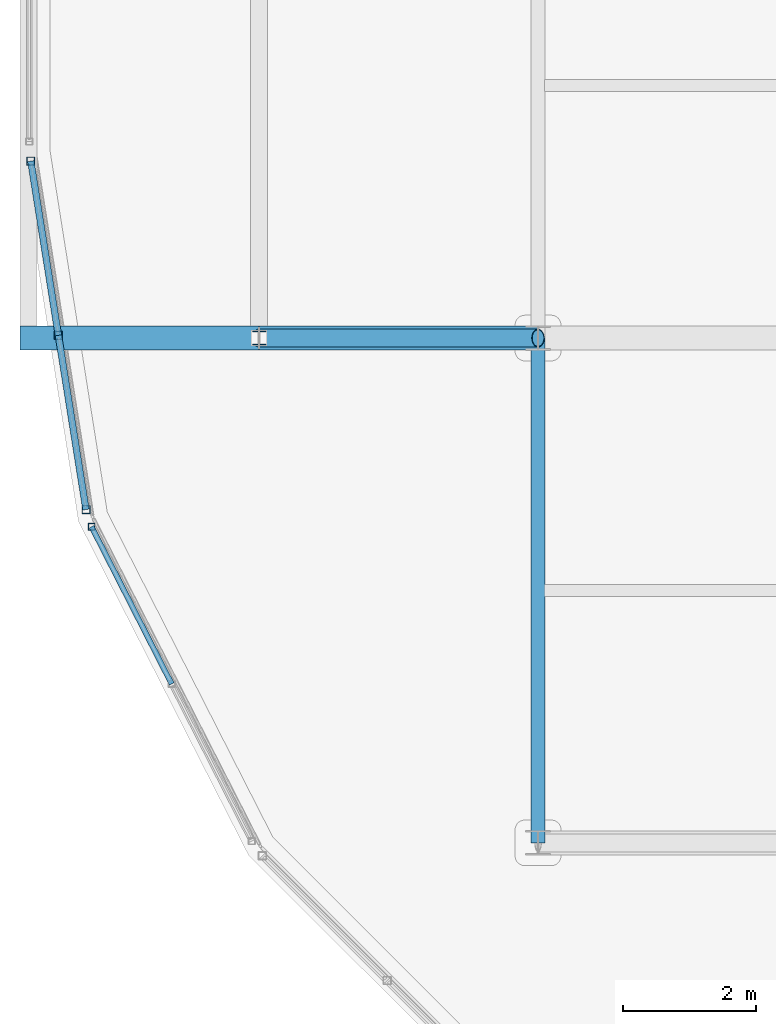
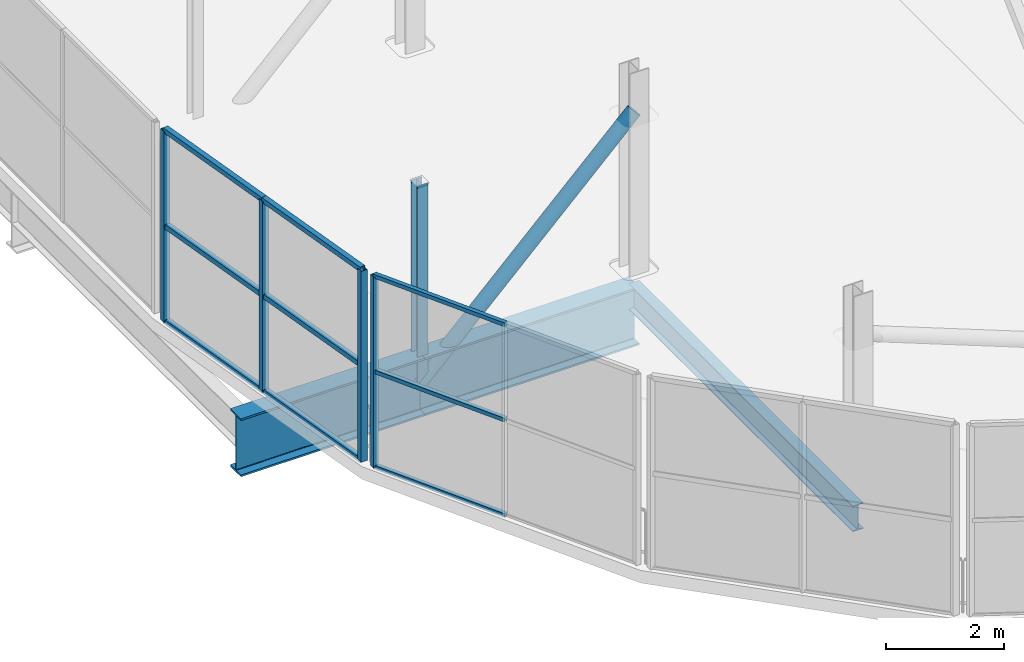
# One storey, part 22 of 217: 15 members, 3 beams, 2 elements without a shape of their own.
"""IFC4 building model written with IfcOpenShell, lengths in metres."""

from ifc_helpers import new_model, si_unit, direction, frame, origin, origin_2d, place, context, subcontext, project, spatial, hollow_rectangle, hollow_circle, i_section, extrude, material, material_profile, profile_set, type_object, element, aggregate, save


model = new_model("IFC4")

# Units and contexts
model_context = context("Model", 3, precision=1e-05, world=origin(), true_north=direction((0.0, 1.0)))
body_context = subcontext(model_context, "Body", "Model", "MODEL_VIEW")
ifc_project = project(units=[si_unit("LENGTHUNIT", "METRE"), si_unit("AREAUNIT", "SQUARE_METRE"), si_unit("VOLUMEUNIT", "CUBIC_METRE"), si_unit("PLANEANGLEUNIT", "RADIAN"), si_unit("MASSUNIT", "GRAM", prefix="KILO")], contexts=[model_context])

# Site, building, storey
site_placement = place(None, origin())
site = spatial("IfcSite", under=ifc_project, at=site_placement, CompositionType="ELEMENT")
building_placement = place(site_placement, origin())
building = spatial("IfcBuilding", under=site, at=building_placement, Name="Zuvorla Pavilion Media Centre", CompositionType="ELEMENT")
storey_placement = place(building_placement, frame((0.0, 0.0, 9.60009765625)))
storey = spatial("IfcBuildingStorey", under=building, at=storey_placement, Name="L02", CompositionType="ELEMENT", Elevation=9.60009765625)

# Beams
ifc_material_1 = material(Name="Steel S355", Category="steel")
ifc_material_profile_1 = material_profile(ifc_material_1, i_section(OverallWidth=0.360107421875, OverallDepth=1.199951171875, WebThickness=0.02001953125, FlangeThickness=0.0380859375, FilletRadius=0.02392578125, at=origin_2d()), Name="PG 1200x360x38")
ifc_profile_set_1 = profile_set([ifc_material_profile_1], Name="Steel S355")
beam_type_1 = type_object("IfcBeamType", Name="BM-PG1200", PredefinedType="BEAM", material=ifc_profile_set_1)
beam_1_placement = place(storey_placement, frame((16.39990234375, 59.199951171875, -0.8681640625), z_axis=(-1.0, 0.0, 0.0), x_axis=(0.0, -1.0, 0.0)))
element("IfcBeam", 1, at=beam_1_placement, inside=storey, type_object=beam_type_1, Name="L02 beam B01 1666", PredefinedType="BEAM", context=body_context, shape_type="SweptSolid", body=[
    extrude(i_section(OverallWidth=0.360107421875, OverallDepth=1.199951171875, WebThickness=0.02001953125, FlangeThickness=0.0380859375, FilletRadius=0.02392578125, at=origin_2d()), origin(), (0.0, 0.0, 1.0), 4.199951171875),
])
beam_2_placement = place(storey_placement, frame((12.199951171875, 59.199951171875, -0.8681640625), z_axis=(-1.0, 0.0, 0.0), x_axis=(0.0, -1.0, 0.0)))
element("IfcBeam", 2, at=beam_2_placement, inside=storey, type_object=beam_type_1, Name="L02 beam B01 1667", PredefinedType="BEAM", context=body_context, shape_type="SweptSolid", body=[
    extrude(i_section(OverallWidth=0.360107421875, OverallDepth=1.199951171875, WebThickness=0.02001953125, FlangeThickness=0.0380859375, FilletRadius=0.02392578125, at=origin_2d()), origin(), (0.0, 0.0, 1.0), 3.599853515625),
])
ifc_material_profile_2 = material_profile(ifc_material_1, i_section(OverallWidth=0.2099609375, OverallDepth=0.53662109375, WebThickness=0.0107421875, FlangeThickness=0.017333984375, FilletRadius=0.0126953125, at=origin_2d()), Name="UB 533x210x101")
ifc_profile_set_2 = profile_set([ifc_material_profile_2], Name="Steel S355")
beam_type_2 = type_object("IfcBeamType", Name="BM-UB533", PredefinedType="BEAM", material=ifc_profile_set_2)
beam_3_placement = place(storey_placement, frame((16.39990234375, 51.60009765625, -0.536376953125), z_axis=(0.0, 1.0, 0.0), x_axis=(-1.0, 0.0, 0.0)))
element("IfcBeam", 3, at=beam_3_placement, inside=storey, type_object=beam_type_2, Name="L02 beam B08 891", PredefinedType="BEAM", context=body_context, shape_type="SweptSolid", body=[
    extrude(i_section(OverallWidth=0.2099609375, OverallDepth=0.53662109375, WebThickness=0.0107421875, FlangeThickness=0.017333984375, FilletRadius=0.0126953125, at=origin_2d()), origin(), (0.0, 0.0, 1.0), 7.599853515625),
])

# Curtain wall, member
ifc_material_2 = material(Name="Unitised anodised aluminium and solar glass curtain wall", Category="aluminium")
curtain_wall_type_1 = type_object("IfcCurtainWallType", Name="CW-SYS-02", PredefinedType="USERDEFINED", material=ifc_material_2)
curtain_wall_1_placement = place(storey_placement, origin())
curtain_wall_1 = element("IfcCurtainWall", 4, at=curtain_wall_1_placement, inside=storey, type_object=curtain_wall_type_1, Name="L02 curtain wall CW02 34", ObjectType="CURTAIN WALL", PredefinedType="USERDEFINED")
ifc_material_3 = material(Name="Anodised aluminium 6063-T6", Category="aluminium")
ifc_material_profile_3 = material_profile(ifc_material_3, hollow_rectangle(XDim=0.10009765625, YDim=0.10009765625, WallThickness=0.00439453125, at=origin_2d()), Name="ALU MULL 100x100")
ifc_profile_set_3 = profile_set([ifc_material_profile_3], Name="Anodised aluminium 6063-T6")
member_type_1 = type_object("IfcMemberType", Name="CW-MULL-100", PredefinedType="MULLION", material=ifc_profile_set_3)
member_1_placement = place(storey_placement, frame((9.678466796875, 56.358642578125, 0.0), z_axis=(0.0, 0.0, 1.0), x_axis=(1.0, 0.0, 0.0)))
member_1 = element("IfcMember", 5, at=member_1_placement, type_object=member_type_1, Name="CW02 mullion 1", PredefinedType="MULLION", context=body_context, shape_type="SweptSolid", body=[
    extrude(hollow_rectangle(XDim=0.10009765625, YDim=0.10009765625, WallThickness=0.00439453125, at=origin_2d()), origin(), (0.0, 0.0, 1.0), 3.949951171875),
])

# Curtain wall, members
curtain_wall_type_2 = type_object("IfcCurtainWallType", Name="CW-SYS-04", PredefinedType="USERDEFINED", material=ifc_material_2)
curtain_wall_2_placement = place(storey_placement, origin())
curtain_wall_2 = element("IfcCurtainWall", 6, at=curtain_wall_2_placement, inside=storey, type_object=curtain_wall_type_2, Name="L02 curtain wall CW04 33", ObjectType="CURTAIN WALL", PredefinedType="USERDEFINED")
ifc_material_profile_4 = material_profile(ifc_material_3, hollow_rectangle(XDim=0.1201171875, YDim=0.1201171875, WallThickness=0.0048828125, at=origin_2d()), Name="ALU MULL 120x120")
ifc_profile_set_4 = profile_set([ifc_material_profile_4], Name="Anodised aluminium 6063-T6")
member_type_2 = type_object("IfcMemberType", Name="CW-MULL-120", PredefinedType="MULLION", material=ifc_profile_set_4)
member_2_placement = place(storey_placement, frame((8.76318359375, 61.864013671875, 0.0), z_axis=(0.0, 0.0, 1.0), x_axis=(1.0, 0.0, 0.0)))
member_2 = element("IfcMember", 7, at=member_2_placement, type_object=member_type_2, Name="CW04 mullion 1", PredefinedType="MULLION", context=body_context, shape_type="SweptSolid", body=[
    extrude(hollow_rectangle(XDim=0.1201171875, YDim=0.1201171875, WallThickness=0.0048828125, at=origin_2d()), origin(), (0.0, 0.0, 1.0), 3.949951171875),
])
member_3_placement = place(storey_placement, frame((9.1787109375, 59.24072265625, 0.0), z_axis=(0.0, 0.0, 1.0), x_axis=(1.0, 0.0, 0.0)))
member_3 = element("IfcMember", 8, at=member_3_placement, type_object=member_type_2, Name="CW04 mullion 2", PredefinedType="MULLION", context=body_context, shape_type="SweptSolid", body=[
    extrude(hollow_rectangle(XDim=0.1201171875, YDim=0.1201171875, WallThickness=0.0048828125, at=origin_2d()), origin(), (0.0, 0.0, 1.0), 3.949951171875),
])
member_4_placement = place(storey_placement, frame((9.59423828125, 56.61767578125, 0.0), z_axis=(0.0, 0.0, 1.0), x_axis=(1.0, 0.0, 0.0)))
member_4 = element("IfcMember", 9, at=member_4_placement, type_object=member_type_2, Name="CW04 mullion 3", PredefinedType="MULLION", context=body_context, shape_type="SweptSolid", body=[
    extrude(hollow_rectangle(XDim=0.1201171875, YDim=0.1201171875, WallThickness=0.0048828125, at=origin_2d()), origin(), (0.0, 0.0, 1.0), 3.949951171875),
])
ifc_material_profile_5 = material_profile(ifc_material_3, hollow_rectangle(XDim=0.10009765625, YDim=0.10009765625, WallThickness=0.00439453125, at=origin_2d()), Name="ALU TRAN 100x100")
ifc_profile_set_5 = profile_set([ifc_material_profile_5], Name="Anodised aluminium 6063-T6")
member_type_3 = type_object("IfcMemberType", Name="CW-TRAN-100", PredefinedType="USERDEFINED", material=ifc_profile_set_5)
member_5_placement = place(storey_placement, frame((8.76318359375, 61.864013671875, 0.0), z_axis=(0.156448739647, -0.987686079614, 0.0), x_axis=(0.987686079614, 0.156448739647, 0.0)))
member_5 = element("IfcMember", 10, at=member_5_placement, type_object=member_type_3, Name="CW04 transom 1.1", ObjectType="TRANSOM", PredefinedType="USERDEFINED", context=body_context, shape_type="SweptSolid", body=[
    extrude(hollow_rectangle(XDim=0.10009765625, YDim=0.10009765625, WallThickness=0.00439453125, at=origin_2d()), origin(), (0.0, 0.0, 1.0), 2.656005859375),
])
member_6_placement = place(storey_placement, frame((8.76318359375, 61.864013671875, 1.974853515625), z_axis=(0.156448739647, -0.987686079614, 0.0), x_axis=(0.987686079614, 0.156448739647, 0.0)))
member_6 = element("IfcMember", 11, at=member_6_placement, type_object=member_type_3, Name="CW04 transom 1.2", ObjectType="TRANSOM", PredefinedType="USERDEFINED", context=body_context, shape_type="SweptSolid", body=[
    extrude(hollow_rectangle(XDim=0.10009765625, YDim=0.10009765625, WallThickness=0.00439453125, at=origin_2d()), origin(), (0.0, 0.0, 1.0), 2.656005859375),
])
member_7_placement = place(storey_placement, frame((8.76318359375, 61.864013671875, 3.949951171875), z_axis=(0.156448739647, -0.987686079614, 0.0), x_axis=(0.987686079614, 0.156448739647, 0.0)))
member_7 = element("IfcMember", 12, at=member_7_placement, type_object=member_type_3, Name="CW04 transom 1.3", ObjectType="TRANSOM", PredefinedType="USERDEFINED", context=body_context, shape_type="SweptSolid", body=[
    extrude(hollow_rectangle(XDim=0.10009765625, YDim=0.10009765625, WallThickness=0.00439453125, at=origin_2d()), origin(), (0.0, 0.0, 1.0), 2.656005859375),
])
member_8_placement = place(storey_placement, frame((9.1787109375, 59.24072265625, 0.0), z_axis=(0.156462944686, -0.987683829441, 0.0), x_axis=(0.987683829441, 0.156462944686, 0.0)))
member_8 = element("IfcMember", 13, at=member_8_placement, type_object=member_type_3, Name="CW04 transom 2.1", ObjectType="TRANSOM", PredefinedType="USERDEFINED", context=body_context, shape_type="SweptSolid", body=[
    extrude(hollow_rectangle(XDim=0.10009765625, YDim=0.10009765625, WallThickness=0.00439453125, at=origin_2d()), origin(), (0.0, 0.0, 1.0), 2.65576171875),
])
member_9_placement = place(storey_placement, frame((9.1787109375, 59.24072265625, 1.974853515625), z_axis=(0.156462944686, -0.987683829441, 0.0), x_axis=(0.987683829441, 0.156462944686, 0.0)))
member_9 = element("IfcMember", 14, at=member_9_placement, type_object=member_type_3, Name="CW04 transom 2.2", ObjectType="TRANSOM", PredefinedType="USERDEFINED", context=body_context, shape_type="SweptSolid", body=[
    extrude(hollow_rectangle(XDim=0.10009765625, YDim=0.10009765625, WallThickness=0.00439453125, at=origin_2d()), origin(), (0.0, 0.0, 1.0), 2.65576171875),
])
member_10_placement = place(storey_placement, frame((9.1787109375, 59.24072265625, 3.949951171875), z_axis=(0.156462944686, -0.987683829441, 0.0), x_axis=(0.987683829441, 0.156462944686, 0.0)))
member_10 = element("IfcMember", 15, at=member_10_placement, type_object=member_type_3, Name="CW04 transom 2.3", ObjectType="TRANSOM", PredefinedType="USERDEFINED", context=body_context, shape_type="SweptSolid", body=[
    extrude(hollow_rectangle(XDim=0.10009765625, YDim=0.10009765625, WallThickness=0.00439453125, at=origin_2d()), origin(), (0.0, 0.0, 1.0), 2.65576171875),
])
aggregate(curtain_wall_2, [member_2, member_3, member_4, member_5, member_6, member_7, member_8, member_9, member_10])

# Member
ifc_material_profile_6 = material_profile(ifc_material_3, hollow_rectangle(XDim=0.080078125, YDim=0.080078125, WallThickness=0.00390625, at=origin_2d()), Name="ALU TRAN 80x80")
ifc_profile_set_6 = profile_set([ifc_material_profile_6], Name="Anodised aluminium 6063-T6")
member_type_4 = type_object("IfcMemberType", Name="CW-TRAN-80", PredefinedType="USERDEFINED", material=ifc_profile_set_6)
member_11_placement = place(storey_placement, frame((9.678466796875, 56.358642578125, 0.0), z_axis=(0.45396709639, -0.891018448403, 0.0), x_axis=(0.891018448403, 0.45396709639, 0.0)))
member_11 = element("IfcMember", 16, at=member_11_placement, type_object=member_type_4, Name="CW02 transom 1.1", ObjectType="TRANSOM", PredefinedType="USERDEFINED", context=body_context, shape_type="SweptSolid", body=[
    extrude(hollow_rectangle(XDim=0.080078125, YDim=0.080078125, WallThickness=0.00390625, at=origin_2d()), origin(), (0.0, 0.0, 1.0), 2.655517578125),
])

member_12_placement = place(storey_placement, frame((9.678466796875, 56.358642578125, 1.974853515625), z_axis=(0.45396709639, -0.891018448403, 0.0), x_axis=(0.891018448403, 0.45396709639, 0.0)))
member_12 = element("IfcMember", 17, at=member_12_placement, type_object=member_type_4, Name="CW02 transom 1.2", ObjectType="TRANSOM", PredefinedType="USERDEFINED", context=body_context, shape_type="SweptSolid", body=[
    extrude(hollow_rectangle(XDim=0.080078125, YDim=0.080078125, WallThickness=0.00390625, at=origin_2d()), origin(), (0.0, 0.0, 1.0), 2.655517578125),
])

member_13_placement = place(storey_placement, frame((9.678466796875, 56.358642578125, 3.949951171875), z_axis=(0.45396709639, -0.891018448403, 0.0), x_axis=(0.891018448403, 0.45396709639, 0.0)))
member_13 = element("IfcMember", 18, at=member_13_placement, type_object=member_type_4, Name="CW02 transom 1.3", ObjectType="TRANSOM", PredefinedType="USERDEFINED", context=body_context, shape_type="SweptSolid", body=[
    extrude(hollow_rectangle(XDim=0.080078125, YDim=0.080078125, WallThickness=0.00390625, at=origin_2d()), origin(), (0.0, 0.0, 1.0), 2.655517578125),
])

aggregate(curtain_wall_1, [member_1, member_11, member_12, member_13])

# Members
ifc_material_profile_7 = material_profile(ifc_material_1, hollow_circle(Radius=0.136474609375, WallThickness=0.012451171875, at=origin_2d()), Name="CHS 273x12.5")
ifc_profile_set_7 = profile_set([ifc_material_profile_7], Name="Steel S355")
member_type_5 = type_object("IfcMemberType", Name="MEM-BRC-CHS273", PredefinedType="BRACE", material=ifc_profile_set_7)
member_14_placement = place(storey_placement, frame((16.39990234375, 59.199951171875, 3.27978515625), z_axis=(-0.711332384643, 0.0, -0.702855773654), x_axis=(0.0, -1.0, 0.0)))
element("IfcMember", 19, at=member_14_placement, inside=storey, type_object=member_type_5, Name="L02 diagonal brace TB01 1", PredefinedType="BRACE", context=body_context, shape_type="SweptSolid", body=[
    extrude(hollow_circle(Radius=0.136474609375, WallThickness=0.012451171875, at=origin_2d()), origin(), (0.0, 0.0, 1.0), 5.904296875),
])
ifc_material_profile_8 = material_profile(ifc_material_1, i_section(OverallWidth=0.205810546875, OverallDepth=0.209716796875, WebThickness=0.009521484375, FlangeThickness=0.01416015625, FilletRadius=0.01025390625, at=origin_2d()), Name="UC 203x203x60")
ifc_profile_set_8 = profile_set([ifc_material_profile_8], Name="Steel S355")
member_type_6 = type_object("IfcMemberType", Name="MEM-STR-UC203", PredefinedType="STRUT", material=ifc_profile_set_8)
member_15_placement = place(storey_placement, frame((12.199951171875, 59.199951171875, -0.8701171875), z_axis=(0.0, 0.0, 1.0), x_axis=(1.0, 0.0, 0.0)))
element("IfcMember", 20, at=member_15_placement, inside=storey, type_object=member_type_6, Name="L02 vertical strut TS02 2", PredefinedType="STRUT", context=body_context, shape_type="SweptSolid", body=[
    extrude(i_section(OverallWidth=0.205810546875, OverallDepth=0.209716796875, WebThickness=0.009521484375, FlangeThickness=0.01416015625, FilletRadius=0.01025390625, at=origin_2d()), origin(), (0.0, 0.0, 1.0), 4.14990234375),
])

save(model, "model.ifc")
